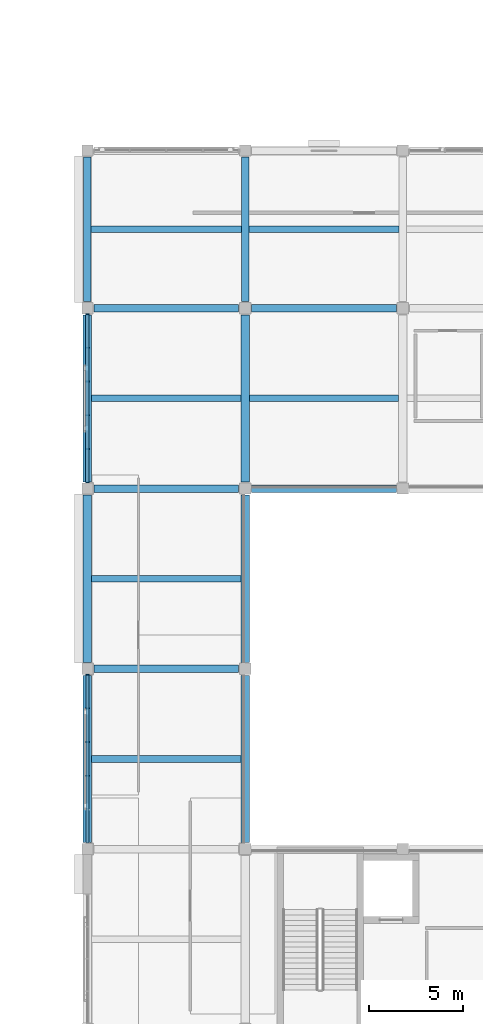
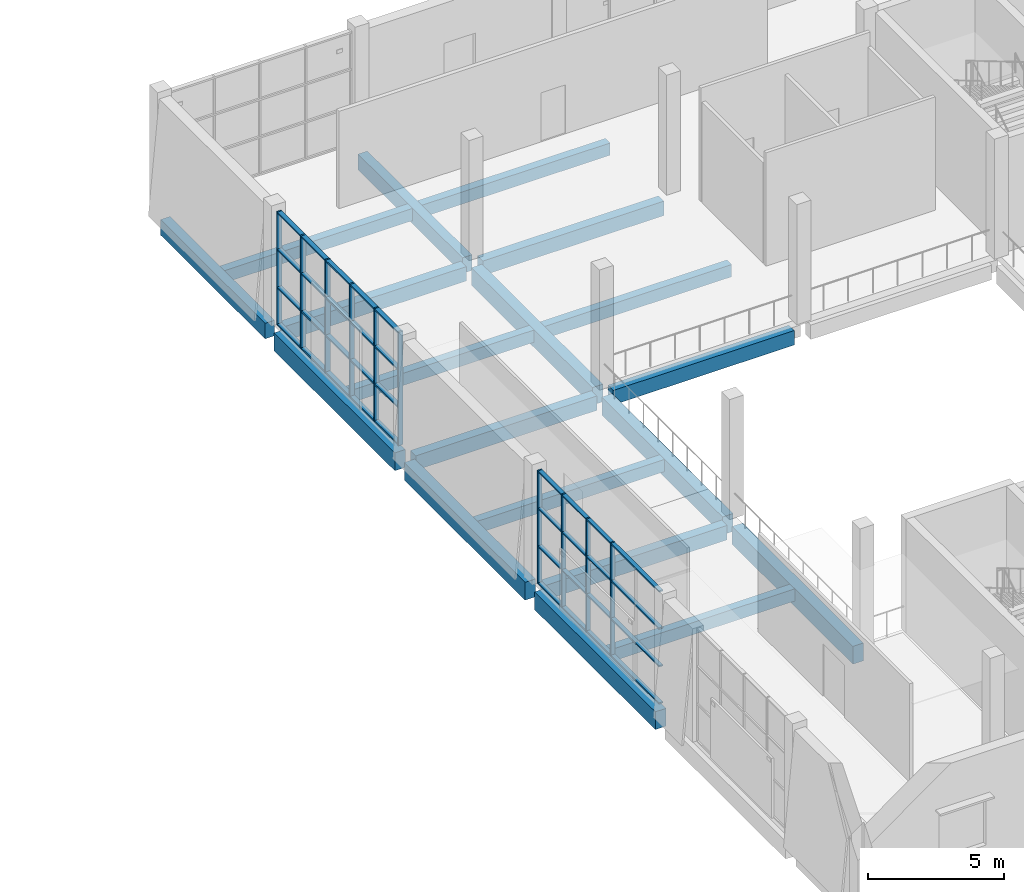
# One storey, part 24 of 57: 19 beams, 18 members, 2 elements without a shape of their own.
"""IFC4 building model written with IfcOpenShell, lengths in metres."""

import ifcopenshell
import ifcopenshell.guid

model = None  # the IFC model being written
_history = None  # IfcOwnerHistory: only IFC2X3 demands one
_inside = {}  # id of a spatial element -> (the spatial element, [elements in it])
_under = {}  # id of a project, library or spatial element -> (it, [spatial elements below it])
_declared = {}  # id of a project -> (the project, [libraries it declares])
_typed = {}  # id of a type object -> (the type object, [elements of that type])
_made_of = {}  # id of a material, layer set ... -> (it, [elements and type objects made of it])


def new_model(schema):
    """Start an empty IFC model of exactly this schema.

    Asked for "IFC4X3", IfcOpenShell would pick the latest addendum, in which some entities
    have other attributes; the version numbers below select the first issue.
    IFC2X3 requires an IfcOwnerHistory on every rooted entity: one is made here for all.
    """
    global model, _history
    if schema == "IFC4X3":
        model = ifcopenshell.file(schema_version=(4, 3, 0, 0))
    else:
        model = ifcopenshell.file(schema=schema)
    _inside.clear()
    _under.clear()
    _declared.clear()
    _typed.clear()
    _made_of.clear()
    _history = None
    if model.schema == "IFC2X3":
        org = make("IfcOrganization", Name="unknown")
        user = make(
            "IfcPersonAndOrganization",
            ThePerson=make("IfcPerson", FamilyName="unknown"),
            TheOrganization=org,
        )
        app = make(
            "IfcApplication",
            ApplicationDeveloper=org,
            Version="unknown",
            ApplicationFullName="unknown",
            ApplicationIdentifier="unknown",
        )
        _history = make(
            "IfcOwnerHistory",
            OwningUser=user,
            OwningApplication=app,
            ChangeAction="ADDED",
            CreationDate=0,
        )
    return model


def make(cls, **values):
    """One entity of the class cls with the attributes given. An attribute that is None is left unset."""
    return model.create_entity(
        cls, **{name: value for name, value in values.items() if value is not None}
    )


def rooted(cls, **values):
    """An entity with a GlobalId (a new one), such as an element, a storey or a relation."""
    return make(cls, GlobalId=ifcopenshell.guid.new(), OwnerHistory=_history, **values)


def si_unit(unit_type, name, prefix=None):
    """IfcSIUnit, for example si_unit("LENGTHUNIT", "METRE", prefix="MILLI")."""
    return make("IfcSIUnit", UnitType=unit_type, Prefix=prefix, Name=name)


def assignment(units):
    """IfcUnitAssignment: the units of a project."""
    return None if units is None else make("IfcUnitAssignment", Units=units)


def point(xyz):
    """IfcCartesianPoint."""
    return None if xyz is None else make("IfcCartesianPoint", Coordinates=xyz)


def direction(xyz):
    """IfcDirection."""
    return None if xyz is None else make("IfcDirection", DirectionRatios=xyz)


def frame(location, z_axis=None, x_axis=None):
    """IfcAxis2Placement3D, a coordinate frame: its origin and axes. An axis left out is left unset."""
    return make(
        "IfcAxis2Placement3D",
        Location=point(location),
        Axis=direction(z_axis),
        RefDirection=direction(x_axis),
    )


def frame_2d(location, x_axis=None):
    """IfcAxis2Placement2D, a coordinate frame in the plane: its origin and x axis."""
    return make(
        "IfcAxis2Placement2D", Location=point(location), RefDirection=direction(x_axis)
    )


def origin():
    """The frame at (0, 0, 0) with its axes left unset."""
    return frame((0.0, 0.0, 0.0))


def origin_2d():
    """The frame at (0, 0) in the plane with its x axis left unset."""
    return frame_2d((0.0, 0.0))


def place(relative_to, where):
    """IfcLocalPlacement: puts the frame where relative to a parent placement (None: the world)."""
    return make(
        "IfcLocalPlacement", PlacementRelTo=relative_to, RelativePlacement=where
    )


def context(
    kind, dimensions, precision=None, world=None, true_north=None, identifier=None
):
    """IfcGeometricRepresentationContext, for example the 3D "Model" context."""
    return make(
        "IfcGeometricRepresentationContext",
        ContextIdentifier=identifier,
        ContextType=kind,
        CoordinateSpaceDimension=dimensions,
        Precision=precision,
        WorldCoordinateSystem=world,
        TrueNorth=true_north,
    )


def subcontext(parent, identifier, kind, view, scale=None):
    """IfcGeometricRepresentationSubContext, for example "Body" below "Model"."""
    return make(
        "IfcGeometricRepresentationSubContext",
        ContextIdentifier=identifier,
        ContextType=kind,
        ParentContext=parent,
        TargetScale=scale,
        TargetView=view,
    )


def project(units=None, contexts=None):
    """IfcProject with its units and contexts."""
    return rooted(
        "IfcProject",
        Name="project",
        RepresentationContexts=contexts,
        UnitsInContext=assignment(units),
    )


def spatial(cls, under=None, at=None, **own):
    """A site, building, storey or space (cls), placed at a placement, below another one or the project."""
    s = rooted(cls, ObjectPlacement=at, **own)
    if under is not None:
        _under.setdefault(under.id(), (under, []))[1].append(s)
    return s


def profile(cls, at=None, kind="AREA", **sizes):
    """A parametric profile (cls). Its sizes go by their IFC names, for example OverallWidth=200.0."""
    return make(cls, ProfileType=kind, Position=at, **sizes)


def rectangle(**sizes):
    """IfcRectangleProfileDef."""
    return profile("IfcRectangleProfileDef", **sizes)


def extrude(swept, where, along, depth):
    """IfcExtrudedAreaSolid: the profile swept, set in the frame where, extruded along a direction by depth."""
    return make(
        "IfcExtrudedAreaSolid",
        SweptArea=swept,
        Position=where,
        ExtrudedDirection=direction(along),
        Depth=depth,
    )


def shape(context_of_items, identifier, shape_type, items):
    """IfcShapeRepresentation: the items that make up one representation, for example the "Body"."""
    return make(
        "IfcShapeRepresentation",
        ContextOfItems=context_of_items,
        RepresentationIdentifier=identifier,
        RepresentationType=shape_type,
        Items=items,
    )


def material(Name=None, Category=None):
    """IfcMaterial."""
    return make("IfcMaterial", Name=Name, Category=Category)


def material_profile(
    of_material, cross_section, Name=None, Category=None, Priority=None
):
    """IfcMaterialProfile: a cross section and its material."""
    return make(
        "IfcMaterialProfile",
        Name=Name,
        Material=of_material,
        Profile=cross_section,
        Priority=Priority,
        Category=Category,
    )


def profile_set(profiles, Name=None, composite=None):
    """IfcMaterialProfileSet."""
    return make(
        "IfcMaterialProfileSet",
        Name=Name,
        MaterialProfiles=profiles,
        CompositeProfile=composite,
    )


def made_of(thing, what):
    """Note that an element or type object is made of a material, layer set ...; save() writes the relation."""
    if what is not None:
        _made_of.setdefault(what.id(), (what, []))[1].append(thing)
    return thing


def type_object(cls, material=None, **own):
    """A type object (cls), such as IfcWallType, which elements share."""
    return made_of(rooted(cls, **own), material)


def element(
    cls,
    number,
    at=None,
    inside=None,
    cuts=None,
    type_object=None,
    material=None,
    context=None,
    identifier="Body",
    shape_type=None,
    held_by="IfcProductDefinitionShape",
    body=None,
    shapes=None,
    **own,
):
    """One element of the class cls, such as IfcWall. Its Tag is "e" and its number.

    at: its placement. inside: the storey or other place that contains it. cuts: it is an
    opening in that element (IfcRelVoidsElement). A single representation is given by context,
    identifier, shape_type and body (its items); several are given by shapes. held_by: the class
    of the entity that holds the representations. save() writes the other relations.
    """
    e = rooted(cls, Tag="e%d" % number, ObjectPlacement=at, **own)
    if body is not None:
        shapes = [shape(context, identifier, shape_type, body)]
    if shapes is not None:
        e.Representation = make(held_by, Representations=shapes)
    if inside is not None:
        _inside.setdefault(inside.id(), (inside, []))[1].append(e)
    if cuts is not None:
        rooted(
            "IfcRelVoidsElement", RelatingBuildingElement=cuts, RelatedOpeningElement=e
        )
    if type_object is not None:
        _typed.setdefault(type_object.id(), (type_object, []))[1].append(e)
    return made_of(e, material)


def aggregate(whole, parts):
    """IfcRelAggregates: a whole, such as a stair, and the parts it consists of."""
    return rooted("IfcRelAggregates", RelatingObject=whole, RelatedObjects=parts)


def save(model, path):
    """Write the relations noted so far, then the file.

    IfcRelAggregates (storeys below a building ...), IfcRelContainedInSpatialStructure (elements
    in a storey), IfcRelDefinesByType, IfcRelAssociatesMaterial and IfcRelDeclares: one each for
    every whole, place, type object, material and project.
    """
    for whole, parts in _under.values():
        aggregate(whole, parts)
    for where, things in _inside.values():
        rooted(
            "IfcRelContainedInSpatialStructure",
            RelatedElements=things,
            RelatingStructure=where,
        )
    for kind, things in _typed.values():
        rooted("IfcRelDefinesByType", RelatedObjects=things, RelatingType=kind)
    for what, things in _made_of.values():
        rooted("IfcRelAssociatesMaterial", RelatedObjects=things, RelatingMaterial=what)
    for by, libraries in _declared.values():
        rooted("IfcRelDeclares", RelatingContext=by, RelatedDefinitions=libraries)
    model.write(path)


model = new_model("IFC4")

# Units and contexts
model_context = context("Model", 3, precision=1e-05, world=origin(), true_north=direction((0.0, 1.0)))
body_context = subcontext(model_context, "Body", "Model", "MODEL_VIEW")
ifc_project = project(units=[si_unit("LENGTHUNIT", "METRE"), si_unit("AREAUNIT", "SQUARE_METRE"), si_unit("VOLUMEUNIT", "CUBIC_METRE"), si_unit("PLANEANGLEUNIT", "RADIAN"), si_unit("MASSUNIT", "GRAM", prefix="KILO")], contexts=[model_context])

# Site, building, storey
site_placement = place(None, origin())
site = spatial("IfcSite", under=ifc_project, at=site_placement, CompositionType="ELEMENT")
building_placement = place(site_placement, origin())
building = spatial("IfcBuilding", under=site, at=building_placement, Name="Shalvenor Court Art Gallery", CompositionType="ELEMENT")
storey_placement = place(building_placement, frame((0.0, 0.0, 16.800048828125)))
storey = spatial("IfcBuildingStorey", under=building, at=storey_placement, Name="L03", CompositionType="ELEMENT", Elevation=16.800048828125)

# Beams
ifc_material_1 = material(Name="Concrete C40/50", Category="concrete")
ifc_material_profile_1 = material_profile(ifc_material_1, rectangle(XDim=0.449951171875, YDim=0.800048828125, at=origin_2d()), Name="RC 450x800")
ifc_profile_set_1 = profile_set([ifc_material_profile_1], Name="Concrete C40/50")
beam_type_1 = type_object("IfcBeamType", Name="B-03", PredefinedType="BEAM", material=ifc_profile_set_1)
beam_1_placement = place(storey_placement, frame((142.800048828125, 60.35009765625, -0.699951171875), z_axis=(0.0, 1.0, 0.0), x_axis=(-1.0, 0.0, 0.0)))
element("IfcBeam", 1, at=beam_1_placement, inside=storey, type_object=beam_type_1, Name="L03 Girder BM-L03-B-03-1015", PredefinedType="BEAM", context=body_context, shape_type="SweptSolid", body=[
    extrude(rectangle(XDim=0.449951171875, YDim=0.800048828125, at=origin_2d()), origin(), (0.0, 0.0, 1.0), 8.89990234375),
])
beam_2_placement = place(storey_placement, frame((142.800048828125, 69.949951171875, -0.699951171875), z_axis=(0.0, 1.0, 0.0), x_axis=(-1.0, 0.0, 0.0)))
element("IfcBeam", 2, at=beam_2_placement, inside=storey, type_object=beam_type_1, Name="L03 Girder BM-L03-B-03-1016", PredefinedType="BEAM", context=body_context, shape_type="SweptSolid", body=[
    extrude(rectangle(XDim=0.449951171875, YDim=0.800048828125, at=origin_2d()), origin(), (0.0, 0.0, 1.0), 8.900146484375),
])
for number, where, z_axis, x_axis, name in (
    (3, (142.800048828125, 79.550048828125, -0.699951171875), (0.0, 1.0, 0.0), (-1.0, 0.0, 0.0), "L03 Girder BM-L03-B-03-1017"),
    (4, (151.199951171875, 60.35009765625, -0.699951171875), (0.0, 1.0, 0.0), (-1.0, 0.0, 0.0), "L03 Girder BM-L03-B-03-1021"),
):
    element("IfcBeam", number, at=place(storey_placement, frame(where, z_axis=z_axis, x_axis=x_axis)), inside=storey, type_object=beam_type_1, Name=name, PredefinedType="BEAM", context=body_context, shape_type="SweptSolid", body=[
        extrude(rectangle(XDim=0.449951171875, YDim=0.800048828125, at=origin_2d()), origin(), (0.0, 0.0, 1.0), 8.89990234375),
    ])
beam_3_placement = place(storey_placement, frame((151.199951171875, 69.949951171875, -0.699951171875), z_axis=(0.0, 1.0, 0.0), x_axis=(-1.0, 0.0, 0.0)))
element("IfcBeam", 5, at=beam_3_placement, inside=storey, type_object=beam_type_1, Name="L03 Girder BM-L03-B-03-1022", PredefinedType="BEAM", context=body_context, shape_type="SweptSolid", body=[
    extrude(rectangle(XDim=0.449951171875, YDim=0.800048828125, at=origin_2d()), origin(), (0.0, 0.0, 1.0), 8.900146484375),
])
beam_4_placement = place(storey_placement, frame((151.199951171875, 79.550048828125, -0.699951171875), z_axis=(0.0, 1.0, 0.0), x_axis=(-1.0, 0.0, 0.0)))
element("IfcBeam", 6, at=beam_4_placement, inside=storey, type_object=beam_type_1, Name="L03 Girder BM-L03-B-03-1023", PredefinedType="BEAM", context=body_context, shape_type="SweptSolid", body=[
    extrude(rectangle(XDim=0.449951171875, YDim=0.800048828125, at=origin_2d()), origin(), (0.0, 0.0, 1.0), 8.89990234375),
])
ifc_material_2 = material(Name="Concrete C40/50", Category="concrete")
ifc_material_profile_2 = material_profile(ifc_material_2, rectangle(XDim=0.39990234375, YDim=0.699951171875, at=origin_2d()), Name="RC 400x700")
ifc_profile_set_2 = profile_set([ifc_material_profile_2], Name="Concrete C40/50")
beam_type_2 = type_object("IfcBeamType", Name="B-05", PredefinedType="BEAM", material=ifc_profile_set_2)
for number, where, z_axis, x_axis, name in (
    (7, (142.800048828125, 89.14990234375, -0.650146484375), (0.0, 1.0, 0.0), (-1.0, 0.0, 0.0), "L03 Girder BM-L03-B-05-1018"),
    (8, (151.199951171875, 89.14990234375, -0.650146484375), (0.0, 1.0, 0.0), (-1.0, 0.0, 0.0), "L03 Girder BM-L03-B-05-1024"),
):
    element("IfcBeam", number, at=place(storey_placement, frame(where, z_axis=z_axis, x_axis=x_axis)), inside=storey, type_object=beam_type_2, Name=name, PredefinedType="BEAM", context=body_context, shape_type="SweptSolid", body=[
        extrude(rectangle(XDim=0.39990234375, YDim=0.699951171875, at=origin_2d()), origin(), (0.0, 0.0, 1.0), 7.7001953125),
    ])
ifc_material_3 = material(Name="Concrete C40/50", Category="concrete")
ifc_material_profile_3 = material_profile(ifc_material_3, rectangle(XDim=0.39990234375, YDim=0.64990234375, at=origin_2d()), Name="RC 400x650")
ifc_profile_set_3 = profile_set([ifc_material_profile_3], Name="Concrete C40/50")
beam_type_3 = type_object("IfcBeamType", Name="B-06", PredefinedType="BEAM", material=ifc_profile_set_3)
for number, where, z_axis, x_axis, name in (
    (9, (143.14990234375, 69.60009765625, -0.625), (1.0, 0.0, 0.0), (0.0, 1.0, 0.0), "L03 Girder BM-L03-B-06-1079"),
    (10, (143.14990234375, 79.199951171875, -0.625), (1.0, 0.0, 0.0), (0.0, 1.0, 0.0), "L03 Girder BM-L03-B-06-1081"),
):
    element("IfcBeam", number, at=place(storey_placement, frame(where, z_axis=z_axis, x_axis=x_axis)), inside=storey, type_object=beam_type_3, Name=name, PredefinedType="BEAM", context=body_context, shape_type="SweptSolid", body=[
        extrude(rectangle(XDim=0.39990234375, YDim=0.64990234375, at=origin_2d()), origin(), (0.0, 0.0, 1.0), 7.7001953125),
    ])
beam_5_placement = place(storey_placement, frame((151.550048828125, 79.199951171875, -0.625), z_axis=(1.0, 0.0, 0.0), x_axis=(0.0, 1.0, 0.0)))
element("IfcBeam", 11, at=beam_5_placement, inside=storey, type_object=beam_type_3, Name="L03 Girder BM-L03-B-06-1082", PredefinedType="BEAM", context=body_context, shape_type="SweptSolid", body=[
    extrude(rectangle(XDim=0.39990234375, YDim=0.64990234375, at=origin_2d()), origin(), (0.0, 0.0, 1.0), 7.699951171875),
])
beam_6_placement = place(storey_placement, frame((143.14990234375, 88.800048828125, -0.625), z_axis=(1.0, 0.0, 0.0), x_axis=(0.0, 1.0, 0.0)))
element("IfcBeam", 12, at=beam_6_placement, inside=storey, type_object=beam_type_3, Name="L03 Girder BM-L03-B-06-1088", PredefinedType="BEAM", context=body_context, shape_type="SweptSolid", body=[
    extrude(rectangle(XDim=0.39990234375, YDim=0.64990234375, at=origin_2d()), origin(), (0.0, 0.0, 1.0), 7.7001953125),
])
beam_7_placement = place(storey_placement, frame((151.550048828125, 88.800048828125, -0.625), z_axis=(1.0, 0.0, 0.0), x_axis=(0.0, 1.0, 0.0)))
element("IfcBeam", 13, at=beam_7_placement, inside=storey, type_object=beam_type_3, Name="L03 Girder BM-L03-B-06-1089", PredefinedType="BEAM", context=body_context, shape_type="SweptSolid", body=[
    extrude(rectangle(XDim=0.39990234375, YDim=0.64990234375, at=origin_2d()), origin(), (0.0, 0.0, 1.0), 7.699951171875),
])

# Curtain wall, members
ifc_material_4 = material(Name="Anodised aluminium and low-iron glass curtain wall", Category="aluminium")
curtain_wall_type_1 = type_object("IfcCurtainWallType", Name="CW-5x3-90-51-122", PredefinedType="USERDEFINED", material=ifc_material_4)
curtain_wall_1_placement = place(storey_placement, origin())
curtain_wall_1 = element("IfcCurtainWall", 14, at=curtain_wall_1_placement, inside=storey, type_object=curtain_wall_type_1, Name="L03 V1 Curtain Wall CW-L03-028", ObjectType="CURTAIN WALL", PredefinedType="USERDEFINED")
ifc_material_5 = material(Name="Anodised aluminium mullion", Category="aluminium")
ifc_material_profile_4 = material_profile(ifc_material_5, rectangle(XDim=0.06494140625, YDim=0.179931640625, at=origin_2d()), Name="CWM-01")
ifc_profile_set_4 = profile_set([ifc_material_profile_4], Name="Anodised aluminium mullion")
member_type_1 = type_object("IfcMemberType", Name="CWM-01", PredefinedType="MULLION", material=ifc_profile_set_4)
member_1_placement = place(storey_placement, frame((142.800048828125, 63.89990234375, 0.0), z_axis=(0.0, 0.0, 1.0), x_axis=(0.0, 1.0, 0.0)))
member_1 = element("IfcMember", 15, at=member_1_placement, type_object=member_type_1, Name="CW-5x3-90-51-122 mullion 3", PredefinedType="MULLION", context=body_context, shape_type="SweptSolid", body=[
    extrude(rectangle(XDim=0.06494140625, YDim=0.179931640625, at=origin_2d()), origin(), (0.0, 0.0, 1.0), 5.099853515625),
])
member_2_placement = place(storey_placement, frame((142.800048828125, 65.699951171875, 0.0), z_axis=(0.0, 0.0, 1.0), x_axis=(0.0, 1.0, 0.0)))
member_2 = element("IfcMember", 16, at=member_2_placement, type_object=member_type_1, Name="CW-5x3-90-51-122 mullion 4", PredefinedType="MULLION", context=body_context, shape_type="SweptSolid", body=[
    extrude(rectangle(XDim=0.06494140625, YDim=0.179931640625, at=origin_2d()), origin(), (0.0, 0.0, 1.0), 5.099853515625),
])
member_3_placement = place(storey_placement, frame((142.800048828125, 67.5, 0.0), z_axis=(0.0, 0.0, 1.0), x_axis=(0.0, 1.0, 0.0)))
member_3 = element("IfcMember", 17, at=member_3_placement, type_object=member_type_1, Name="CW-5x3-90-51-122 mullion 5", PredefinedType="MULLION", context=body_context, shape_type="SweptSolid", body=[
    extrude(rectangle(XDim=0.06494140625, YDim=0.179931640625, at=origin_2d()), origin(), (0.0, 0.0, 1.0), 5.099853515625),
])
member_4_placement = place(storey_placement, frame((142.800048828125, 69.267578125, 0.0), z_axis=(0.0, 0.0, 1.0), x_axis=(0.0, 1.0, 0.0)))
member_4 = element("IfcMember", 18, at=member_4_placement, type_object=member_type_1, Name="CW-5x3-90-51-122 mullion 6", PredefinedType="MULLION", context=body_context, shape_type="SweptSolid", body=[
    extrude(rectangle(XDim=0.06494140625, YDim=0.179931640625, at=origin_2d()), origin(), (0.0, 0.0, 1.0), 5.099853515625),
])

ifc_material_6 = material(Name="Anodised aluminium and low-iron glass curtain wall", Category="aluminium")
curtain_wall_type_2 = type_object("IfcCurtainWallType", Name="CW-5x3-90-51-242", PredefinedType="USERDEFINED", material=ifc_material_6)
curtain_wall_2_placement = place(storey_placement, origin())
curtain_wall_2 = element("IfcCurtainWall", 19, at=curtain_wall_2_placement, inside=storey, type_object=curtain_wall_type_2, Name="L03 V1 Curtain Wall CW-L03-029", ObjectType="CURTAIN WALL", PredefinedType="USERDEFINED")
ifc_material_7 = material(Name="Anodised aluminium mullion", Category="aluminium")
ifc_material_profile_5 = material_profile(ifc_material_7, rectangle(XDim=0.070068359375, YDim=0.199951171875, at=origin_2d()), Name="CWM-02")
ifc_profile_set_5 = profile_set([ifc_material_profile_5], Name="Anodised aluminium mullion")
member_type_2 = type_object("IfcMemberType", Name="CWM-02", PredefinedType="MULLION", material=ifc_profile_set_5)
member_5_placement = place(storey_placement, frame((142.800048828125, 79.534912109375, 0.0), z_axis=(0.0, 0.0, 1.0), x_axis=(0.0, 1.0, 0.0)))
member_5 = element("IfcMember", 20, at=member_5_placement, type_object=member_type_2, Name="CW-5x3-90-51-242 mullion 1", PredefinedType="MULLION", context=body_context, shape_type="SweptSolid", body=[
    extrude(rectangle(XDim=0.070068359375, YDim=0.199951171875, at=origin_2d()), origin(), (0.0, 0.0, 1.0), 5.099853515625),
])
member_6_placement = place(storey_placement, frame((142.800048828125, 81.300048828125, 0.0), z_axis=(0.0, 0.0, 1.0), x_axis=(0.0, 1.0, 0.0)))
member_6 = element("IfcMember", 21, at=member_6_placement, type_object=member_type_2, Name="CW-5x3-90-51-242 mullion 2", PredefinedType="MULLION", context=body_context, shape_type="SweptSolid", body=[
    extrude(rectangle(XDim=0.070068359375, YDim=0.199951171875, at=origin_2d()), origin(), (0.0, 0.0, 1.0), 5.099853515625),
])
member_7_placement = place(storey_placement, frame((142.800048828125, 83.10009765625, 0.0), z_axis=(0.0, 0.0, 1.0), x_axis=(0.0, 1.0, 0.0)))
member_7 = element("IfcMember", 22, at=member_7_placement, type_object=member_type_2, Name="CW-5x3-90-51-242 mullion 3", PredefinedType="MULLION", context=body_context, shape_type="SweptSolid", body=[
    extrude(rectangle(XDim=0.070068359375, YDim=0.199951171875, at=origin_2d()), origin(), (0.0, 0.0, 1.0), 5.099853515625),
])
member_8_placement = place(storey_placement, frame((142.800048828125, 84.89990234375, 0.0), z_axis=(0.0, 0.0, 1.0), x_axis=(0.0, 1.0, 0.0)))
member_8 = element("IfcMember", 23, at=member_8_placement, type_object=member_type_2, Name="CW-5x3-90-51-242 mullion 4", PredefinedType="MULLION", context=body_context, shape_type="SweptSolid", body=[
    extrude(rectangle(XDim=0.070068359375, YDim=0.199951171875, at=origin_2d()), origin(), (0.0, 0.0, 1.0), 5.099853515625),
])
member_9_placement = place(storey_placement, frame((142.800048828125, 86.699951171875, 0.0), z_axis=(0.0, 0.0, 1.0), x_axis=(0.0, 1.0, 0.0)))
member_9 = element("IfcMember", 24, at=member_9_placement, type_object=member_type_2, Name="CW-5x3-90-51-242 mullion 5", PredefinedType="MULLION", context=body_context, shape_type="SweptSolid", body=[
    extrude(rectangle(XDim=0.070068359375, YDim=0.199951171875, at=origin_2d()), origin(), (0.0, 0.0, 1.0), 5.099853515625),
])
member_10_placement = place(storey_placement, frame((142.800048828125, 88.465087890625, 0.0), z_axis=(0.0, 0.0, 1.0), x_axis=(0.0, 1.0, 0.0)))
member_10 = element("IfcMember", 25, at=member_10_placement, type_object=member_type_2, Name="CW-5x3-90-51-242 mullion 6", PredefinedType="MULLION", context=body_context, shape_type="SweptSolid", body=[
    extrude(rectangle(XDim=0.070068359375, YDim=0.199951171875, at=origin_2d()), origin(), (0.0, 0.0, 1.0), 5.099853515625),
])

# Member
ifc_material_8 = material(Name="Anodised aluminium transom", Category="aluminium")
ifc_material_profile_6 = material_profile(ifc_material_8, rectangle(XDim=0.169921875, YDim=0.06494140625, at=origin_2d()), Name="CWT-02")
ifc_profile_set_6 = profile_set([ifc_material_profile_6], Name="Anodised aluminium transom")
member_type_3 = type_object("IfcMemberType", Name="CWT-02", PredefinedType="USERDEFINED", material=ifc_profile_set_6)
member_11_placement = place(storey_placement, frame((142.800048828125, 60.33251953125, 0.032470703125), z_axis=(0.0, 1.0, 0.0), x_axis=(-1.0, 0.0, 0.0)))
member_11 = element("IfcMember", 26, at=member_11_placement, type_object=member_type_3, Name="CW-5x3-90-51-122 transom 1", ObjectType="TRANSOM", PredefinedType="USERDEFINED", context=body_context, shape_type="SweptSolid", body=[
    extrude(rectangle(XDim=0.169921875, YDim=0.06494140625, at=origin_2d()), origin(), (0.0, 0.0, 1.0), 8.93505859375),
])

member_12_placement = place(storey_placement, frame((142.800048828125, 60.33251953125, 1.699951171875), z_axis=(0.0, 1.0, 0.0), x_axis=(-1.0, 0.0, 0.0)))
member_12 = element("IfcMember", 27, at=member_12_placement, type_object=member_type_3, Name="CW-5x3-90-51-122 transom 2", ObjectType="TRANSOM", PredefinedType="USERDEFINED", context=body_context, shape_type="SweptSolid", body=[
    extrude(rectangle(XDim=0.169921875, YDim=0.06494140625, at=origin_2d()), origin(), (0.0, 0.0, 1.0), 8.93505859375),
])

member_13_placement = place(storey_placement, frame((142.800048828125, 60.33251953125, 3.39990234375), z_axis=(0.0, 1.0, 0.0), x_axis=(-1.0, 0.0, 0.0)))
member_13 = element("IfcMember", 28, at=member_13_placement, type_object=member_type_3, Name="CW-5x3-90-51-122 transom 3", ObjectType="TRANSOM", PredefinedType="USERDEFINED", context=body_context, shape_type="SweptSolid", body=[
    extrude(rectangle(XDim=0.169921875, YDim=0.06494140625, at=origin_2d()), origin(), (0.0, 0.0, 1.0), 8.93505859375),
])

member_14_placement = place(storey_placement, frame((142.800048828125, 60.33251953125, 5.0673828125), z_axis=(0.0, 1.0, 0.0), x_axis=(-1.0, 0.0, 0.0)))
member_14 = element("IfcMember", 29, at=member_14_placement, type_object=member_type_3, Name="CW-5x3-90-51-122 transom 4", ObjectType="TRANSOM", PredefinedType="USERDEFINED", context=body_context, shape_type="SweptSolid", body=[
    extrude(rectangle(XDim=0.169921875, YDim=0.06494140625, at=origin_2d()), origin(), (0.0, 0.0, 1.0), 8.93505859375),
])

aggregate(curtain_wall_1, [member_1, member_2, member_3, member_4, member_11, member_12, member_13, member_14])

ifc_material_9 = material(Name="Anodised aluminium transom", Category="aluminium")
ifc_material_profile_7 = material_profile(ifc_material_9, rectangle(XDim=0.18994140625, YDim=0.070068359375, at=origin_2d()), Name="CWT-04")
ifc_profile_set_7 = profile_set([ifc_material_profile_7], Name="Anodised aluminium transom")
member_type_4 = type_object("IfcMemberType", Name="CWT-04", PredefinedType="USERDEFINED", material=ifc_profile_set_7)
member_15_placement = place(storey_placement, frame((142.800048828125, 79.534912109375, 0.034912109375), z_axis=(0.0, 1.0, 0.0), x_axis=(-1.0, 0.0, 0.0)))
member_15 = element("IfcMember", 30, at=member_15_placement, type_object=member_type_4, Name="CW-5x3-90-51-242 transom 1", ObjectType="TRANSOM", PredefinedType="USERDEFINED", context=body_context, shape_type="SweptSolid", body=[
    extrude(rectangle(XDim=0.18994140625, YDim=0.070068359375, at=origin_2d()), origin(), (0.0, 0.0, 1.0), 8.93017578125),
])

member_16_placement = place(storey_placement, frame((142.800048828125, 79.534912109375, 1.699951171875), z_axis=(0.0, 1.0, 0.0), x_axis=(-1.0, 0.0, 0.0)))
member_16 = element("IfcMember", 31, at=member_16_placement, type_object=member_type_4, Name="CW-5x3-90-51-242 transom 2", ObjectType="TRANSOM", PredefinedType="USERDEFINED", context=body_context, shape_type="SweptSolid", body=[
    extrude(rectangle(XDim=0.18994140625, YDim=0.070068359375, at=origin_2d()), origin(), (0.0, 0.0, 1.0), 8.93017578125),
])

member_17_placement = place(storey_placement, frame((142.800048828125, 79.534912109375, 3.39990234375), z_axis=(0.0, 1.0, 0.0), x_axis=(-1.0, 0.0, 0.0)))
member_17 = element("IfcMember", 32, at=member_17_placement, type_object=member_type_4, Name="CW-5x3-90-51-242 transom 3", ObjectType="TRANSOM", PredefinedType="USERDEFINED", context=body_context, shape_type="SweptSolid", body=[
    extrude(rectangle(XDim=0.18994140625, YDim=0.070068359375, at=origin_2d()), origin(), (0.0, 0.0, 1.0), 8.93017578125),
])

member_18_placement = place(storey_placement, frame((142.800048828125, 79.534912109375, 5.06494140625), z_axis=(0.0, 1.0, 0.0), x_axis=(-1.0, 0.0, 0.0)))
member_18 = element("IfcMember", 33, at=member_18_placement, type_object=member_type_4, Name="CW-5x3-90-51-242 transom 4", ObjectType="TRANSOM", PredefinedType="USERDEFINED", context=body_context, shape_type="SweptSolid", body=[
    extrude(rectangle(XDim=0.18994140625, YDim=0.070068359375, at=origin_2d()), origin(), (0.0, 0.0, 1.0), 8.93017578125),
])

aggregate(curtain_wall_2, [member_5, member_6, member_7, member_8, member_9, member_10, member_15, member_16, member_17, member_18])

# Beams
ifc_material_10 = material(Name="Concrete C40/50", Category="concrete")
ifc_material_profile_8 = material_profile(ifc_material_10, rectangle(XDim=0.35009765625, YDim=0.550048828125, at=origin_2d()), Name="RC 350x550")
ifc_profile_set_8 = profile_set([ifc_material_profile_8], Name="Concrete C40/50")
beam_type_4 = type_object("IfcBeamType", Name="J-02", PredefinedType="JOIST", material=ifc_profile_set_8)
for number, where, z_axis, x_axis, name in (
    (34, (143.02490234375, 64.800048828125, -0.574951171875), (1.0, 0.0, 0.0), (0.0, 1.0, 0.0), "L03 Secondary Beam JST-L03-J-02-1154"),
    (35, (143.02490234375, 74.39990234375, -0.574951171875), (1.0, 0.0, 0.0), (0.0, 1.0, 0.0), "L03 Secondary Beam JST-L03-J-02-1155"),
    (36, (143.02490234375, 84.0, -0.574951171875), (1.0, 0.0, 0.0), (0.0, 1.0, 0.0), "L03 Secondary Beam JST-L03-J-02-1156"),
):
    element("IfcBeam", number, at=place(storey_placement, frame(where, z_axis=z_axis, x_axis=x_axis)), inside=storey, type_object=beam_type_4, Name=name, PredefinedType="JOIST", context=body_context, shape_type="SweptSolid", body=[
        extrude(rectangle(XDim=0.35009765625, YDim=0.550048828125, at=origin_2d()), origin(), (0.0, 0.0, 1.0), 7.9501953125),
    ])
beam_8_placement = place(storey_placement, frame((143.0, 93.0, -0.574951171875), z_axis=(1.0, 0.0, 0.0), x_axis=(0.0, 1.0, 0.0)))
element("IfcBeam", 37, at=beam_8_placement, inside=storey, type_object=beam_type_4, Name="L03 Secondary Beam JST-L03-J-02-1157", PredefinedType="JOIST", context=body_context, shape_type="SweptSolid", body=[
    extrude(rectangle(XDim=0.35009765625, YDim=0.550048828125, at=origin_2d()), origin(), (0.0, 0.0, 1.0), 8.0),
])
beam_9_placement = place(storey_placement, frame((151.425048828125, 84.0, -0.574951171875), z_axis=(1.0, 0.0, 0.0), x_axis=(0.0, 1.0, 0.0)))
element("IfcBeam", 38, at=beam_9_placement, inside=storey, type_object=beam_type_4, Name="L03 Secondary Beam JST-L03-J-02-1159", PredefinedType="JOIST", context=body_context, shape_type="SweptSolid", body=[
    extrude(rectangle(XDim=0.35009765625, YDim=0.550048828125, at=origin_2d()), origin(), (0.0, 0.0, 1.0), 7.949951171875),
])
beam_10_placement = place(storey_placement, frame((151.39990234375, 93.0, -0.574951171875), z_axis=(1.0, 0.0, 0.0), x_axis=(0.0, 1.0, 0.0)))
element("IfcBeam", 39, at=beam_10_placement, inside=storey, type_object=beam_type_4, Name="L03 Secondary Beam JST-L03-J-02-1160", PredefinedType="JOIST", context=body_context, shape_type="SweptSolid", body=[
    extrude(rectangle(XDim=0.35009765625, YDim=0.550048828125, at=origin_2d()), origin(), (0.0, 0.0, 1.0), 8.0),
])

save(model, "model.ifc")
